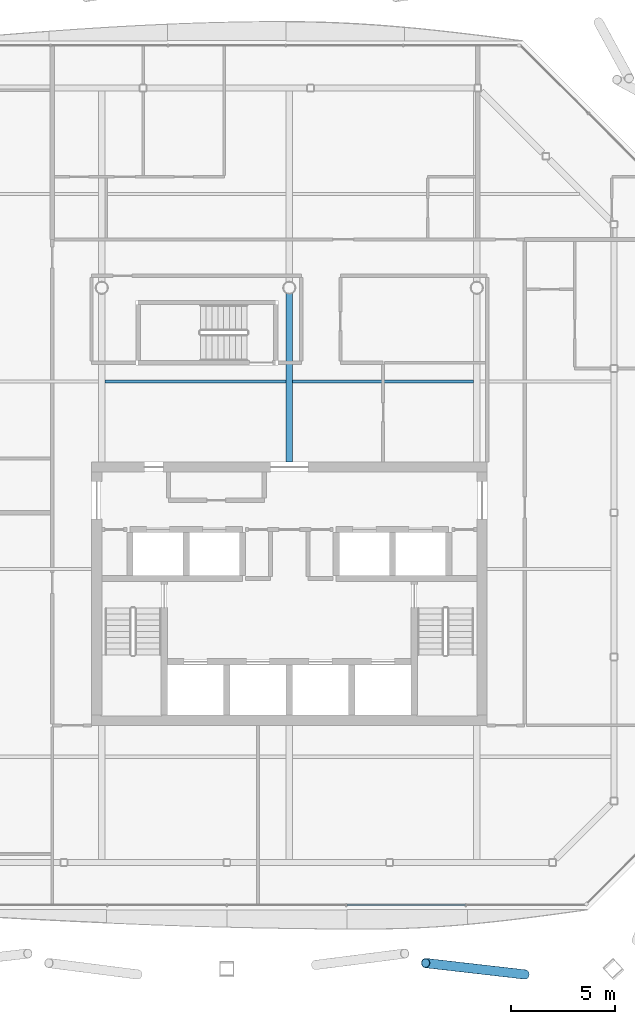
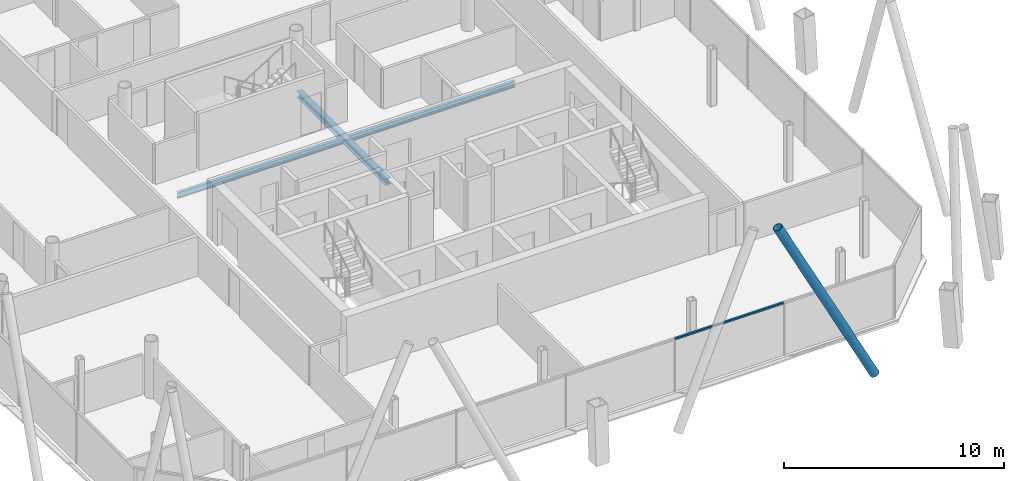
# One storey, part 7 of 20: 3 beams, 2 members, 1 element without a shape of its own.
"""IFC4 building model written with IfcOpenShell, lengths in metres."""

import ifcopenshell
import ifcopenshell.guid

model = None  # the IFC model being written
_history = None  # IfcOwnerHistory: only IFC2X3 demands one
_inside = {}  # id of a spatial element -> (the spatial element, [elements in it])
_under = {}  # id of a project, library or spatial element -> (it, [spatial elements below it])
_declared = {}  # id of a project -> (the project, [libraries it declares])
_typed = {}  # id of a type object -> (the type object, [elements of that type])
_made_of = {}  # id of a material, layer set ... -> (it, [elements and type objects made of it])


def new_model(schema):
    """Start an empty IFC model of exactly this schema.

    Asked for "IFC4X3", IfcOpenShell would pick the latest addendum, in which some entities
    have other attributes; the version numbers below select the first issue.
    IFC2X3 requires an IfcOwnerHistory on every rooted entity: one is made here for all.
    """
    global model, _history
    if schema == "IFC4X3":
        model = ifcopenshell.file(schema_version=(4, 3, 0, 0))
    else:
        model = ifcopenshell.file(schema=schema)
    _inside.clear()
    _under.clear()
    _declared.clear()
    _typed.clear()
    _made_of.clear()
    _history = None
    if model.schema == "IFC2X3":
        org = make("IfcOrganization", Name="unknown")
        user = make(
            "IfcPersonAndOrganization",
            ThePerson=make("IfcPerson", FamilyName="unknown"),
            TheOrganization=org,
        )
        app = make(
            "IfcApplication",
            ApplicationDeveloper=org,
            Version="unknown",
            ApplicationFullName="unknown",
            ApplicationIdentifier="unknown",
        )
        _history = make(
            "IfcOwnerHistory",
            OwningUser=user,
            OwningApplication=app,
            ChangeAction="ADDED",
            CreationDate=0,
        )
    return model


def make(cls, **values):
    """One entity of the class cls with the attributes given. An attribute that is None is left unset."""
    return model.create_entity(
        cls, **{name: value for name, value in values.items() if value is not None}
    )


def rooted(cls, **values):
    """An entity with a GlobalId (a new one), such as an element, a storey or a relation."""
    return make(cls, GlobalId=ifcopenshell.guid.new(), OwnerHistory=_history, **values)


def si_unit(unit_type, name, prefix=None):
    """IfcSIUnit, for example si_unit("LENGTHUNIT", "METRE", prefix="MILLI")."""
    return make("IfcSIUnit", UnitType=unit_type, Prefix=prefix, Name=name)


def assignment(units):
    """IfcUnitAssignment: the units of a project."""
    return None if units is None else make("IfcUnitAssignment", Units=units)


def point(xyz):
    """IfcCartesianPoint."""
    return None if xyz is None else make("IfcCartesianPoint", Coordinates=xyz)


def direction(xyz):
    """IfcDirection."""
    return None if xyz is None else make("IfcDirection", DirectionRatios=xyz)


def frame(location, z_axis=None, x_axis=None):
    """IfcAxis2Placement3D, a coordinate frame: its origin and axes. An axis left out is left unset."""
    return make(
        "IfcAxis2Placement3D",
        Location=point(location),
        Axis=direction(z_axis),
        RefDirection=direction(x_axis),
    )


def frame_2d(location, x_axis=None):
    """IfcAxis2Placement2D, a coordinate frame in the plane: its origin and x axis."""
    return make(
        "IfcAxis2Placement2D", Location=point(location), RefDirection=direction(x_axis)
    )


def origin():
    """The frame at (0, 0, 0) with its axes left unset."""
    return frame((0.0, 0.0, 0.0))


def origin_2d():
    """The frame at (0, 0) in the plane with its x axis left unset."""
    return frame_2d((0.0, 0.0))


def place(relative_to, where):
    """IfcLocalPlacement: puts the frame where relative to a parent placement (None: the world)."""
    return make(
        "IfcLocalPlacement", PlacementRelTo=relative_to, RelativePlacement=where
    )


def context(
    kind, dimensions, precision=None, world=None, true_north=None, identifier=None
):
    """IfcGeometricRepresentationContext, for example the 3D "Model" context."""
    return make(
        "IfcGeometricRepresentationContext",
        ContextIdentifier=identifier,
        ContextType=kind,
        CoordinateSpaceDimension=dimensions,
        Precision=precision,
        WorldCoordinateSystem=world,
        TrueNorth=true_north,
    )


def subcontext(parent, identifier, kind, view, scale=None):
    """IfcGeometricRepresentationSubContext, for example "Body" below "Model"."""
    return make(
        "IfcGeometricRepresentationSubContext",
        ContextIdentifier=identifier,
        ContextType=kind,
        ParentContext=parent,
        TargetScale=scale,
        TargetView=view,
    )


def project(units=None, contexts=None):
    """IfcProject with its units and contexts."""
    return rooted(
        "IfcProject",
        Name="project",
        RepresentationContexts=contexts,
        UnitsInContext=assignment(units),
    )


def spatial(cls, under=None, at=None, **own):
    """A site, building, storey or space (cls), placed at a placement, below another one or the project."""
    s = rooted(cls, ObjectPlacement=at, **own)
    if under is not None:
        _under.setdefault(under.id(), (under, []))[1].append(s)
    return s


def profile(cls, at=None, kind="AREA", **sizes):
    """A parametric profile (cls). Its sizes go by their IFC names, for example OverallWidth=200.0."""
    return make(cls, ProfileType=kind, Position=at, **sizes)


def rectangle(**sizes):
    """IfcRectangleProfileDef."""
    return profile("IfcRectangleProfileDef", **sizes)


def hollow_circle(**sizes):
    """IfcCircleHollowProfileDef."""
    return profile("IfcCircleHollowProfileDef", **sizes)


def i_section(**sizes):
    """IfcIShapeProfileDef."""
    return profile("IfcIShapeProfileDef", **sizes)


def extrude(swept, where, along, depth):
    """IfcExtrudedAreaSolid: the profile swept, set in the frame where, extruded along a direction by depth."""
    return make(
        "IfcExtrudedAreaSolid",
        SweptArea=swept,
        Position=where,
        ExtrudedDirection=direction(along),
        Depth=depth,
    )


def shape(context_of_items, identifier, shape_type, items):
    """IfcShapeRepresentation: the items that make up one representation, for example the "Body"."""
    return make(
        "IfcShapeRepresentation",
        ContextOfItems=context_of_items,
        RepresentationIdentifier=identifier,
        RepresentationType=shape_type,
        Items=items,
    )


def material(Name=None, Category=None):
    """IfcMaterial."""
    return make("IfcMaterial", Name=Name, Category=Category)


def material_profile(
    of_material, cross_section, Name=None, Category=None, Priority=None
):
    """IfcMaterialProfile: a cross section and its material."""
    return make(
        "IfcMaterialProfile",
        Name=Name,
        Material=of_material,
        Profile=cross_section,
        Priority=Priority,
        Category=Category,
    )


def profile_set(profiles, Name=None, composite=None):
    """IfcMaterialProfileSet."""
    return make(
        "IfcMaterialProfileSet",
        Name=Name,
        MaterialProfiles=profiles,
        CompositeProfile=composite,
    )


def made_of(thing, what):
    """Note that an element or type object is made of a material, layer set ...; save() writes the relation."""
    if what is not None:
        _made_of.setdefault(what.id(), (what, []))[1].append(thing)
    return thing


def type_object(cls, material=None, **own):
    """A type object (cls), such as IfcWallType, which elements share."""
    return made_of(rooted(cls, **own), material)


def element(
    cls,
    number,
    at=None,
    inside=None,
    cuts=None,
    type_object=None,
    material=None,
    context=None,
    identifier="Body",
    shape_type=None,
    held_by="IfcProductDefinitionShape",
    body=None,
    shapes=None,
    **own,
):
    """One element of the class cls, such as IfcWall. Its Tag is "e" and its number.

    at: its placement. inside: the storey or other place that contains it. cuts: it is an
    opening in that element (IfcRelVoidsElement). A single representation is given by context,
    identifier, shape_type and body (its items); several are given by shapes. held_by: the class
    of the entity that holds the representations. save() writes the other relations.
    """
    e = rooted(cls, Tag="e%d" % number, ObjectPlacement=at, **own)
    if body is not None:
        shapes = [shape(context, identifier, shape_type, body)]
    if shapes is not None:
        e.Representation = make(held_by, Representations=shapes)
    if inside is not None:
        _inside.setdefault(inside.id(), (inside, []))[1].append(e)
    if cuts is not None:
        rooted(
            "IfcRelVoidsElement", RelatingBuildingElement=cuts, RelatedOpeningElement=e
        )
    if type_object is not None:
        _typed.setdefault(type_object.id(), (type_object, []))[1].append(e)
    return made_of(e, material)


def aggregate(whole, parts):
    """IfcRelAggregates: a whole, such as a stair, and the parts it consists of."""
    return rooted("IfcRelAggregates", RelatingObject=whole, RelatedObjects=parts)


def save(model, path):
    """Write the relations noted so far, then the file.

    IfcRelAggregates (storeys below a building ...), IfcRelContainedInSpatialStructure (elements
    in a storey), IfcRelDefinesByType, IfcRelAssociatesMaterial and IfcRelDeclares: one each for
    every whole, place, type object, material and project.
    """
    for whole, parts in _under.values():
        aggregate(whole, parts)
    for where, things in _inside.values():
        rooted(
            "IfcRelContainedInSpatialStructure",
            RelatedElements=things,
            RelatingStructure=where,
        )
    for kind, things in _typed.values():
        rooted("IfcRelDefinesByType", RelatedObjects=things, RelatingType=kind)
    for what, things in _made_of.values():
        rooted("IfcRelAssociatesMaterial", RelatedObjects=things, RelatingMaterial=what)
    for by, libraries in _declared.values():
        rooted("IfcRelDeclares", RelatingContext=by, RelatedDefinitions=libraries)
    model.write(path)


model = new_model("IFC4")

# Units and contexts
model_context = context("Model", 3, precision=1e-05, world=origin(), true_north=direction((0.0, 1.0)))
body_context = subcontext(model_context, "Body", "Model", "MODEL_VIEW")
ifc_project = project(units=[si_unit("LENGTHUNIT", "METRE"), si_unit("AREAUNIT", "SQUARE_METRE"), si_unit("VOLUMEUNIT", "CUBIC_METRE"), si_unit("PLANEANGLEUNIT", "RADIAN"), si_unit("MASSUNIT", "GRAM", prefix="KILO")], contexts=[model_context])

# Site, building, storey
site_placement = place(None, origin())
site = spatial("IfcSite", under=ifc_project, at=site_placement, CompositionType="ELEMENT")
building_placement = place(site_placement, origin())
building = spatial("IfcBuilding", under=site, at=building_placement, Name="Tskaro Facet Tower", CompositionType="ELEMENT")
storey_placement = place(building_placement, frame((0.0, 0.0, 181.64990234375)))
storey = spatial("IfcBuildingStorey", under=building, at=storey_placement, Name="L45", CompositionType="ELEMENT", Elevation=181.64990234375)

# Member
ifc_material_1 = material(Name="Steel S355J2H", Category="steel")
ifc_material_profile_1 = material_profile(ifc_material_1, hollow_circle(Radius=0.228515625, WallThickness=0.02001953125, at=origin_2d()), Name="CHS 457x20")
ifc_profile_set_1 = profile_set([ifc_material_profile_1], Name="Steel S355J2H")
member_type_1 = type_object("IfcMemberType", Name="CHS 457x20 brace", PredefinedType="BRACE", material=ifc_profile_set_1)
member_1_placement = place(storey_placement, frame((11.313720703125, -23.956787109375, 0.0), z_axis=(-0.450094839236, 0.051681564716, 0.89148396035), x_axis=(-0.114074179763, -0.993472234897, 0.0)))
element("IfcMember", 1, at=member_1_placement, inside=storey, type_object=member_type_1, Name="CHS 457x20 XB02B/4", PredefinedType="BRACE", context=body_context, shape_type="SweptSolid", body=[
    extrude(hollow_circle(Radius=0.228515625, WallThickness=0.02001953125, at=origin_2d()), origin(), (0.0, 0.0, 1.0), 10.6005859375),
])

# Curtain wall, member
ifc_material_2 = material(Name="Bronze anodised aluminium 6063-T6", Category="aluminium")
curtain_wall_type = type_object("IfcCurtainWallType", Name="Bronze residence curtain wall (FW3)", PredefinedType="NOTDEFINED", material=ifc_material_2)
curtain_wall_placement = place(storey_placement, origin())
curtain_wall = element("IfcCurtainWall", 2, at=curtain_wall_placement, inside=storey, type_object=curtain_wall_type, Name="FW3 south facet L45", PredefinedType="NOTDEFINED")
ifc_material_profile_2 = material_profile(ifc_material_2, rectangle(XDim=0.10009765625, YDim=0.090087890625, at=origin_2d()), Name="Transom 100x90")
ifc_profile_set_2 = profile_set([ifc_material_profile_2], Name="Bronze anodised aluminium 6063-T6")
member_type_2 = type_object("IfcMemberType", Name="FW3 bronze transom 100x90", PredefinedType="USERDEFINED", material=ifc_profile_set_2)
member_2_placement = place(storey_placement, frame((2.76123046875, -20.6279296875, 2.905029296875), z_axis=(1.0, 0.0, 0.0), x_axis=(0.0, 1.0, 0.0)))
member_2 = element("IfcMember", 3, at=member_2_placement, type_object=member_type_2, Name="FW3 south transom 5.1", ObjectType="TRANSOM", PredefinedType="USERDEFINED", context=body_context, shape_type="SweptSolid", body=[
    extrude(rectangle(XDim=0.10009765625, YDim=0.090087890625, at=origin_2d()), origin(), (0.0, 0.0, 1.0), 5.6865234375),
])
aggregate(curtain_wall, [member_2])

# Beams
ifc_material_3 = material(Name="Steel S355J2", Category="steel")
ifc_material_profile_3 = material_profile(ifc_material_3, i_section(OverallWidth=0.300048828125, OverallDepth=0.35009765625, WebThickness=0.010009765625, FlangeThickness=0.017578125, FilletRadius=0.027099609375, at=origin_2d()), Name="HE 360 A")
ifc_profile_set_3 = profile_set([ifc_material_profile_3], Name="Steel S355J2")
beam_type_1 = type_object("IfcBeamType", Name="HE 360 A girder", PredefinedType="BEAM", material=ifc_profile_set_3)
beam_placement = place(storey_placement, frame((0.0, 0.64990234375, -0.31494140625), z_axis=(0.0, 1.0, 0.0), x_axis=(-1.0, 0.0, 0.0)))
element("IfcBeam", 4, at=beam_placement, inside=storey, type_object=beam_type_1, Name="HE 360 A GB4-2-4", PredefinedType="BEAM", context=body_context, shape_type="SweptSolid", body=[
    extrude(i_section(OverallWidth=0.300048828125, OverallDepth=0.35009765625, WebThickness=0.010009765625, FlangeThickness=0.017578125, FilletRadius=0.027099609375, at=origin_2d()), origin(), (0.0, 0.0, 1.0), 8.0751953125),
])
ifc_material_profile_4 = material_profile(ifc_material_3, i_section(OverallWidth=0.159912109375, OverallDepth=0.330078125, WebThickness=0.007568359375, FlangeThickness=0.011474609375, FilletRadius=0.01806640625, at=origin_2d()), Name="IPE 330")
ifc_profile_set_4 = profile_set([ifc_material_profile_4], Name="Steel S355J2")
beam_type_2 = type_object("IfcBeamType", Name="IPE 330 secondary beam", PredefinedType="BEAM", material=ifc_profile_set_4)
for number, where, z_axis, x_axis, name in (
    (5, (-8.85009765625, 4.5, -0.304931640625), (1.0, 0.0, 0.0), (0.0, 1.0, 0.0), "IPE 330 SB4a-3-4"),
    (6, (0.14990234375, 4.5, -0.304931640625), (1.0, 0.0, 0.0), (0.0, 1.0, 0.0), "IPE 330 SB4a-4-4"),
):
    element("IfcBeam", number, at=place(storey_placement, frame(where, z_axis=z_axis, x_axis=x_axis)), inside=storey, type_object=beam_type_2, Name=name, PredefinedType="BEAM", context=body_context, shape_type="SweptSolid", body=[
        extrude(i_section(OverallWidth=0.159912109375, OverallDepth=0.330078125, WebThickness=0.007568359375, FlangeThickness=0.011474609375, FilletRadius=0.01806640625, at=origin_2d()), origin(), (0.0, 0.0, 1.0), 8.7001953125),
    ])

save(model, "model.ifc")
